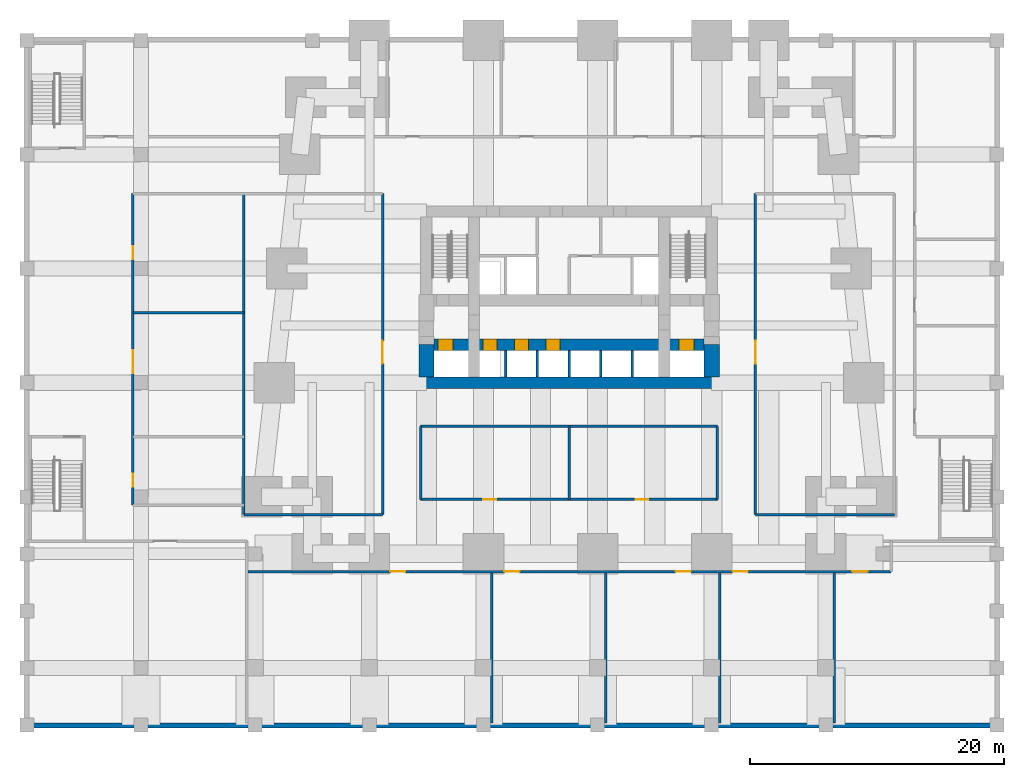
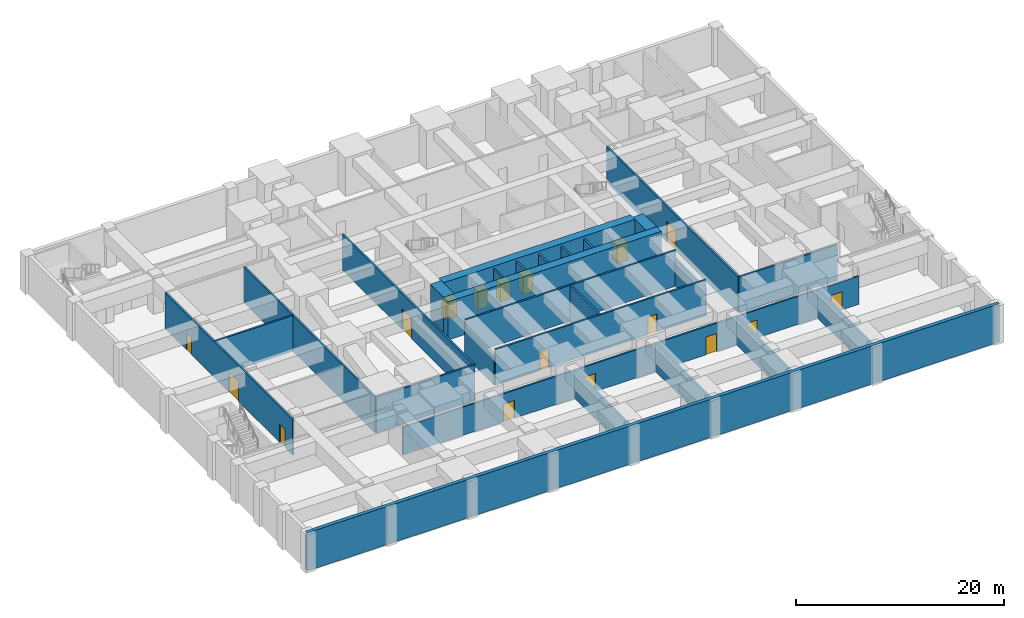
# One storey, part 3 of 8: 27 walls, 17 doors, 17 openings.
"""IFC4 building model written with IfcOpenShell, lengths in metres."""

from ifc_helpers import new_model, si_unit, direction, frame, frame_2d, origin, place, context, subcontext, project, spatial, rectangle, extrude, material, layer, layer_set, type_object, element, fill, save


model = new_model("IFC4")

# Units and contexts
model_context = context("Model", 3, precision=1e-05, world=origin(), true_north=direction((0.0, 1.0)))
body_context = subcontext(model_context, "Body", "Model", "MODEL_VIEW")
ifc_project = project(units=[si_unit("LENGTHUNIT", "METRE"), si_unit("AREAUNIT", "SQUARE_METRE"), si_unit("VOLUMEUNIT", "CUBIC_METRE"), si_unit("PLANEANGLEUNIT", "RADIAN"), si_unit("MASSUNIT", "GRAM", prefix="KILO")], contexts=[model_context])

# Site, building, storey
site_placement = place(None, origin())
site = spatial("IfcSite", under=ifc_project, at=site_placement, CompositionType="ELEMENT")
building_placement = place(site_placement, origin())
building = spatial("IfcBuilding", under=site, at=building_placement, Name="Kilele Tower Hotel", CompositionType="ELEMENT")
storey_placement = place(building_placement, frame((0.0, 0.0, -4.5)))
storey = spatial("IfcBuildingStorey", under=building, at=storey_placement, Name="B1", CompositionType="ELEMENT", Elevation=-4.5)

# Walls
ifc_material_1 = material(Name="Concrete C70/85", Category="concrete")
ifc_layer_1 = layer(ifc_material_1, 0.39990234375)
ifc_layer_set_1 = layer_set([ifc_layer_1], Name="Concrete C70/85")
wall_type_1 = type_object("IfcWallType", Name="Basement retaining wall 400", PredefinedType="SOLIDWALL", material=ifc_layer_set_1)
wall_1_placement = place(storey_placement, frame((-18.25, -13.550048828125, 0.0), z_axis=(0.0, 0.0, 1.0), x_axis=(1.0, 0.0, 0.0)))
element("IfcWall", 1, at=wall_1_placement, inside=storey, type_object=wall_type_1, Name="Retaining wall B1 S", PredefinedType="SOLIDWALL", context=body_context, shape_type="SweptSolid", body=[
    extrude(rectangle(XDim=77.0, YDim=0.39990234375, at=frame_2d((38.5, 0.0))), origin(), (0.0, 0.0, 1.0), 4.5),
])
ifc_material_2 = material(Name="Concrete C60/75", Category="concrete")
ifc_layer_2 = layer(ifc_material_2, 1.199951171875)
ifc_layer_set_2 = layer_set([ifc_layer_2], Name="Concrete C60/75")
wall_type_2 = type_object("IfcWallType", Name="Core wall 1200 C60/75", PredefinedType="SHEAR", material=ifc_layer_set_2)
for number, where, z_axis, x_axis, name in (
    (2, (13.5, 16.5, 0.0), (0.0, 0.0, 1.0), (0.0, -1.0, 0.0), "Core wall W3 B1"),
    (3, (36.0, 13.949951171875, 0.0), (0.0, 0.0, 1.0), (0.0, 1.0, 0.0), "Core wall E1 B1"),
):
    element("IfcWall", number, at=place(storey_placement, frame(where, z_axis=z_axis, x_axis=x_axis)), inside=storey, type_object=wall_type_2, Name=name, PredefinedType="SHEAR", context=body_context, shape_type="SweptSolid", body=[
        extrude(rectangle(XDim=2.550048828125, YDim=1.199951171875, at=frame_2d((1.27490234375, 0.0))), origin(), (0.0, 0.0, 1.0), 4.5),
    ])
ifc_material_3 = material(Name="Concrete C60/75", Category="concrete")
ifc_layer_3 = layer(ifc_material_3, 0.89990234375)
ifc_layer_set_3 = layer_set([ifc_layer_3], Name="Concrete C60/75")
wall_type_3 = type_object("IfcWallType", Name="Core wall 900 C60/75", PredefinedType="SHEAR", material=ifc_layer_set_3)
wall_2_placement = place(storey_placement, frame((12.89990234375, 13.5, 0.0), z_axis=(0.0, 0.0, 1.0), x_axis=(1.0, 0.0, 0.0)))
element("IfcWall", 4, at=wall_2_placement, inside=storey, type_object=wall_type_3, Name="Core wall S B1", PredefinedType="SHEAR", context=body_context, shape_type="SweptSolid", body=[
    extrude(rectangle(XDim=23.7001953125, YDim=0.89990234375, at=frame_2d((11.85009765625, 0.0))), origin(), (0.0, 0.0, 1.0), 4.5),
])

# Wall, openings, doors
wall_3_placement = place(storey_placement, frame((14.10009765625, 16.5, 0.0), z_axis=(0.0, 0.0, 1.0), x_axis=(1.0, 0.0, 0.0)))
wall_3 = element("IfcWall", 5, at=wall_3_placement, inside=storey, type_object=wall_type_3, Name="Core wall LS B1", PredefinedType="SHEAR", context=body_context, shape_type="SweptSolid", body=[
    extrude(rectangle(XDim=21.2998046875, YDim=0.89990234375, at=frame_2d((10.64990234375, 0.0))), origin(), (0.0, 0.0, 1.0), 4.5),
])
opening_1_placement = place(wall_3_placement, frame((3.85009765625, 0.0, 0.0)))
opening_1 = element("IfcOpeningElement", 6, at=opening_1_placement, cuts=wall_3, Name="Opening LD1", PredefinedType="OPENING", context=body_context, shape_type="SweptSolid", body=[
    extrude(rectangle(XDim=1.10009765625, YDim=2.10009765625, at=frame_2d((0.550048828125, 1.050048828125))), frame((0.0, 0.4599609375, 0.0), z_axis=(0.0, -1.0, 0.0), x_axis=(1.0, 0.0, 0.0)), (0.0, 0.0, 1.0), 0.919921875),
])
opening_2_placement = place(wall_3_placement, frame((6.35009765625, 0.0, 0.0)))
opening_2 = element("IfcOpeningElement", 7, at=opening_2_placement, cuts=wall_3, Name="Opening LD1", PredefinedType="OPENING", context=body_context, shape_type="SweptSolid", body=[
    extrude(rectangle(XDim=1.10009765625, YDim=2.10009765625, at=frame_2d((0.550048828125, 1.050048828125))), frame((0.0, 0.4599609375, 0.0), z_axis=(0.0, -1.0, 0.0), x_axis=(1.0, 0.0, 0.0)), (0.0, 0.0, 1.0), 0.919921875),
])
opening_3_placement = place(wall_3_placement, frame((8.85009765625, 0.0, 0.0)))
opening_3 = element("IfcOpeningElement", 8, at=opening_3_placement, cuts=wall_3, Name="Opening LD1", PredefinedType="OPENING", context=body_context, shape_type="SweptSolid", body=[
    extrude(rectangle(XDim=1.10009765625, YDim=2.10009765625, at=frame_2d((0.550048828125, 1.050048828125))), frame((0.0, 0.4599609375, 0.0), z_axis=(0.0, -1.0, 0.0), x_axis=(1.0, 0.0, 0.0)), (0.0, 0.0, 1.0), 0.919921875),
])
opening_4_placement = place(wall_3_placement, frame((0.300048828125, 0.0, 0.0)))
opening_4 = element("IfcOpeningElement", 9, at=opening_4_placement, cuts=wall_3, Name="Opening LD2", PredefinedType="OPENING", context=body_context, shape_type="SweptSolid", body=[
    extrude(rectangle(XDim=1.199951171875, YDim=2.10009765625, at=frame_2d((0.60009765625, 1.050048828125))), frame((0.0, 0.4599609375, 0.0), z_axis=(0.0, -1.0, 0.0), x_axis=(1.0, 0.0, 0.0)), (0.0, 0.0, 1.0), 0.919921875),
])
opening_5_placement = place(wall_3_placement, frame((19.300048828125, 0.0, 0.0)))
opening_5 = element("IfcOpeningElement", 10, at=opening_5_placement, cuts=wall_3, Name="Opening LD2", PredefinedType="OPENING", context=body_context, shape_type="SweptSolid", body=[
    extrude(rectangle(XDim=1.199951171875, YDim=2.10009765625, at=frame_2d((0.60009765625, 1.050048828125))), frame((0.0, 0.4599609375, 0.0), z_axis=(0.0, -1.0, 0.0), x_axis=(1.0, 0.0, 0.0)), (0.0, 0.0, 1.0), 0.919921875),
])
ifc_material_4 = material(Name="Steel lift landing door", Category="steel")
door_type_1 = type_object("IfcDoorType", Name="Firefighting lift landing door 1200", OperationType="SLIDING_TO_LEFT", PredefinedType="DOOR", material=ifc_material_4)
door_1_placement = place(opening_4_placement, origin())
door_1 = element("IfcDoor", 11, at=door_1_placement, inside=storey, type_object=door_type_1, Name="Landing door FFW B1", OperationType="SLIDING_TO_LEFT", OverallHeight=2.10009765625, OverallWidth=1.199951171875, PredefinedType="DOOR", context=body_context, shape_type="SweptSolid", body=[
    extrude(rectangle(XDim=1.199951171875, YDim=2.10009765625, at=frame_2d((0.60009765625, 1.050048828125))), frame((0.0, 0.44970703125, 0.0), z_axis=(0.0, -1.0, 0.0), x_axis=(1.0, 0.0, 0.0)), (0.0, 0.0, 1.0), 0.8994140625),
])
fill(opening_4, door_1)
door_2_placement = place(opening_5_placement, origin())
door_2 = element("IfcDoor", 12, at=door_2_placement, inside=storey, type_object=door_type_1, Name="Landing door FFE B1", OperationType="SLIDING_TO_LEFT", OverallHeight=2.10009765625, OverallWidth=1.199951171875, PredefinedType="DOOR", context=body_context, shape_type="SweptSolid", body=[
    extrude(rectangle(XDim=1.199951171875, YDim=2.10009765625, at=frame_2d((0.60009765625, 1.050048828125))), frame((0.0, 0.44970703125, 0.0), z_axis=(0.0, -1.0, 0.0), x_axis=(1.0, 0.0, 0.0)), (0.0, 0.0, 1.0), 0.8994140625),
])
fill(opening_5, door_2)
ifc_material_5 = material(Name="Steel lift landing door", Category="steel")
door_type_2 = type_object("IfcDoorType", Name="Lift landing door 1100", OperationType="SLIDING_TO_LEFT", PredefinedType="DOOR", material=ifc_material_5)
door_3_placement = place(opening_1_placement, origin())
door_3 = element("IfcDoor", 13, at=door_3_placement, inside=storey, type_object=door_type_2, Name="Landing door L1 B1", OperationType="SLIDING_TO_LEFT", OverallHeight=2.10009765625, OverallWidth=1.10009765625, PredefinedType="DOOR", context=body_context, shape_type="SweptSolid", body=[
    extrude(rectangle(XDim=1.10009765625, YDim=2.10009765625, at=frame_2d((0.550048828125, 1.050048828125))), frame((0.0, 0.44970703125, 0.0), z_axis=(0.0, -1.0, 0.0), x_axis=(1.0, 0.0, 0.0)), (0.0, 0.0, 1.0), 0.8994140625),
])
fill(opening_1, door_3)
door_4_placement = place(opening_2_placement, origin())
door_4 = element("IfcDoor", 14, at=door_4_placement, inside=storey, type_object=door_type_2, Name="Landing door L2 B1", OperationType="SLIDING_TO_LEFT", OverallHeight=2.10009765625, OverallWidth=1.10009765625, PredefinedType="DOOR", context=body_context, shape_type="SweptSolid", body=[
    extrude(rectangle(XDim=1.10009765625, YDim=2.10009765625, at=frame_2d((0.550048828125, 1.050048828125))), frame((0.0, 0.44970703125, 0.0), z_axis=(0.0, -1.0, 0.0), x_axis=(1.0, 0.0, 0.0)), (0.0, 0.0, 1.0), 0.8994140625),
])
fill(opening_2, door_4)
door_5_placement = place(opening_3_placement, origin())
door_5 = element("IfcDoor", 15, at=door_5_placement, inside=storey, type_object=door_type_2, Name="Landing door L3 B1", OperationType="SLIDING_TO_LEFT", OverallHeight=2.10009765625, OverallWidth=1.10009765625, PredefinedType="DOOR", context=body_context, shape_type="SweptSolid", body=[
    extrude(rectangle(XDim=1.10009765625, YDim=2.10009765625, at=frame_2d((0.550048828125, 1.050048828125))), frame((0.0, 0.44970703125, 0.0), z_axis=(0.0, -1.0, 0.0), x_axis=(1.0, 0.0, 0.0)), (0.0, 0.0, 1.0), 0.8994140625),
])
fill(opening_3, door_5)

ifc_material_6 = material(Name="Blockwork, plastered both sides", Category="masonry")
ifc_layer_4 = layer(ifc_material_6, 0.199951171875)
ifc_layer_set_4 = layer_set([ifc_layer_4], Name="Blockwork, plastered both sides")
wall_type_4 = type_object("IfcWallType", Name="Partition wall 200", PredefinedType="PARTITIONING", material=ifc_layer_set_4)
wall_4_placement = place(storey_placement, frame((-9.64990234375, 3.85009765625, 0.0), z_axis=(0.0, 0.0, 1.0), x_axis=(0.0, 1.0, 0.0)))
wall_4 = element("IfcWall", 16, at=wall_4_placement, inside=storey, type_object=wall_type_4, Name="Partition wall 200 B1", PredefinedType="PARTITIONING", context=body_context, shape_type="SweptSolid", body=[
    extrude(rectangle(XDim=24.5498046875, YDim=0.199951171875, at=frame_2d((12.27490234375, 0.0))), origin(), (0.0, 0.0, 1.0), 4.199951171875),
])
opening_6_placement = place(wall_4_placement, frame((2.449951171875, 0.0, 0.0), z_axis=(0.0, 0.0, 1.0), x_axis=(-1.0, 0.0, 0.0)))
opening_6 = element("IfcOpeningElement", 17, at=opening_6_placement, cuts=wall_4, Name="Opening D8", PredefinedType="OPENING", context=body_context, shape_type="SweptSolid", body=[
    extrude(rectangle(XDim=1.0, YDim=2.10009765625, at=frame_2d((0.5, 1.050048828125))), frame((0.0, 0.10986328125, 0.0), z_axis=(0.0, -1.0, 0.0), x_axis=(1.0, 0.0, 0.0)), (0.0, 0.0, 1.0), 0.219970703125),
])
opening_7_placement = place(wall_4_placement, frame((10.39990234375, 0.0, 0.0)))
opening_7 = element("IfcOpeningElement", 18, at=opening_7_placement, cuts=wall_4, Name="Opening D9", PredefinedType="OPENING", context=body_context, shape_type="SweptSolid", body=[
    extrude(rectangle(XDim=1.800048828125, YDim=2.39990234375, at=frame_2d((0.89990234375, 1.199951171875))), frame((0.0, 0.10986328125, 0.0), z_axis=(0.0, -1.0, 0.0), x_axis=(1.0, 0.0, 0.0)), (0.0, 0.0, 1.0), 0.219970703125),
])
opening_8_placement = place(wall_4_placement, frame((20.39990234375, 0.0, 0.0), z_axis=(0.0, 0.0, 1.0), x_axis=(-1.0, 0.0, 0.0)))
opening_8 = element("IfcOpeningElement", 19, at=opening_8_placement, cuts=wall_4, Name="Opening D8", PredefinedType="OPENING", context=body_context, shape_type="SweptSolid", body=[
    extrude(rectangle(XDim=1.0, YDim=2.10009765625, at=frame_2d((0.5, 1.050048828125))), frame((0.0, 0.10986328125, 0.0), z_axis=(0.0, -1.0, 0.0), x_axis=(1.0, 0.0, 0.0)), (0.0, 0.0, 1.0), 0.219970703125),
])
ifc_material_7 = material(Name="Timber door leaf in hardwood frame", Category="wood")
door_type_3 = type_object("IfcDoorType", Name="Door 1000", OperationType="SINGLE_SWING_LEFT", PredefinedType="DOOR", material=ifc_material_7)
door_6_placement = place(opening_6_placement, origin())
door_6 = element("IfcDoor", 20, at=door_6_placement, inside=storey, type_object=door_type_3, Name="Door uniform room", OperationType="SINGLE_SWING_RIGHT", OverallHeight=2.10009765625, OverallWidth=1.0, PredefinedType="DOOR", context=body_context, shape_type="SweptSolid", body=[
    extrude(rectangle(XDim=1.0, YDim=2.10009765625, at=frame_2d((0.5, 1.050048828125))), frame((0.0, 0.02490234375, 0.0), z_axis=(0.0, -1.0, 0.0), x_axis=(1.0, 0.0, 0.0)), (0.0, 0.0, 1.0), 0.050048828125),
])
fill(opening_6, door_6)
door_7_placement = place(opening_8_placement, origin())
door_7 = element("IfcDoor", 21, at=door_7_placement, inside=storey, type_object=door_type_3, Name="Door human resources office", OperationType="SINGLE_SWING_LEFT", OverallHeight=2.10009765625, OverallWidth=1.0, PredefinedType="DOOR", context=body_context, shape_type="SweptSolid", body=[
    extrude(rectangle(XDim=1.0, YDim=2.10009765625, at=frame_2d((0.5, 1.050048828125))), frame((0.0, 0.02490234375, 0.0), z_axis=(0.0, -1.0, 0.0), x_axis=(1.0, 0.0, 0.0)), (0.0, 0.0, 1.0), 0.050048828125),
])
fill(opening_8, door_7)
ifc_material_8 = material(Name="Timber door leaf in hardwood frame", Category="wood")
door_type_4 = type_object("IfcDoorType", Name="Double door 1800", OperationType="DOUBLE_DOOR_SINGLE_SWING", PredefinedType="DOOR", material=ifc_material_8)
door_8_placement = place(opening_7_placement, origin())
door_8 = element("IfcDoor", 22, at=door_8_placement, inside=storey, type_object=door_type_4, Name="Door staff training room", OperationType="DOUBLE_DOOR_SINGLE_SWING", OverallHeight=2.39990234375, OverallWidth=1.800048828125, PredefinedType="DOOR", context=body_context, shape_type="SweptSolid", body=[
    extrude(rectangle(XDim=1.800048828125, YDim=2.39990234375, at=frame_2d((0.89990234375, 1.199951171875))), frame((0.0, 0.02490234375, 0.0), z_axis=(0.0, -1.0, 0.0), x_axis=(1.0, 0.0, 0.0)), (0.0, 0.0, 1.0), 0.050048828125),
])
fill(opening_7, door_8)

# Walls
wall_5_placement = place(storey_placement, frame((-9.64990234375, 19.0, 0.0), z_axis=(0.0, 0.0, 1.0), x_axis=(1.0, 0.0, 0.0)))
element("IfcWall", 23, at=wall_5_placement, inside=storey, type_object=wall_type_4, Name="Partition wall 200 B1", PredefinedType="PARTITIONING", context=body_context, shape_type="SweptSolid", body=[
    extrude(rectangle(XDim=8.75, YDim=0.199951171875, at=frame_2d((4.375, 0.0))), origin(), (0.0, 0.0, 1.0), 4.199951171875),
])
wall_6_placement = place(storey_placement, frame((-0.89990234375, 3.10009765625, 0.0), z_axis=(0.0, 0.0, 1.0), x_axis=(0.0, 1.0, 0.0)))
element("IfcWall", 24, at=wall_6_placement, inside=storey, type_object=wall_type_4, Name="Partition wall 200 B1", PredefinedType="PARTITIONING", context=body_context, shape_type="SweptSolid", body=[
    extrude(rectangle(XDim=25.2998046875, YDim=0.199951171875, at=frame_2d((12.64990234375, 0.0))), origin(), (0.0, 0.0, 1.0), 4.199951171875),
])
wall_7_placement = place(storey_placement, frame((-0.89990234375, 3.10009765625, 0.0), z_axis=(0.0, 0.0, 1.0), x_axis=(1.0, 0.0, 0.0)))
element("IfcWall", 25, at=wall_7_placement, inside=storey, type_object=wall_type_4, Name="Partition wall 200 B1", PredefinedType="PARTITIONING", context=body_context, shape_type="SweptSolid", body=[
    extrude(rectangle(XDim=10.949951171875, YDim=0.199951171875, at=frame_2d((5.47509765625, 0.0))), origin(), (0.0, 0.0, 1.0), 4.199951171875),
])

# Wall, opening, door
wall_8_placement = place(storey_placement, frame((10.050048828125, 3.10009765625, 0.0), z_axis=(0.0, 0.0, 1.0), x_axis=(0.0, 1.0, 0.0)))
wall_8 = element("IfcWall", 26, at=wall_8_placement, inside=storey, type_object=wall_type_4, Name="Partition wall 200 B1", PredefinedType="PARTITIONING", context=body_context, shape_type="SweptSolid", body=[
    extrude(rectangle(XDim=25.2998046875, YDim=0.199951171875, at=frame_2d((12.64990234375, 0.0))), origin(), (0.0, 0.0, 1.0), 4.199951171875),
])
opening_9_placement = place(wall_8_placement, frame((13.699951171875, 0.0, 0.0), z_axis=(0.0, 0.0, 1.0), x_axis=(-1.0, 0.0, 0.0)))
opening_9 = element("IfcOpeningElement", 27, at=opening_9_placement, cuts=wall_8, Name="Opening D9", PredefinedType="OPENING", context=body_context, shape_type="SweptSolid", body=[
    extrude(rectangle(XDim=1.800048828125, YDim=2.39990234375, at=frame_2d((0.89990234375, 1.199951171875))), frame((0.0, 0.10986328125, 0.0), z_axis=(0.0, -1.0, 0.0), x_axis=(1.0, 0.0, 0.0)), (0.0, 0.0, 1.0), 0.219970703125),
])
door_9_placement = place(opening_9_placement, origin())
door_9 = element("IfcDoor", 28, at=door_9_placement, inside=storey, type_object=door_type_4, Name="Door staff lounge", OperationType="DOUBLE_DOOR_SINGLE_SWING", OverallHeight=2.39990234375, OverallWidth=1.800048828125, PredefinedType="DOOR", context=body_context, shape_type="SweptSolid", body=[
    extrude(rectangle(XDim=1.800048828125, YDim=2.39990234375, at=frame_2d((0.89990234375, 1.199951171875))), frame((0.0, 0.02490234375, 0.0), z_axis=(0.0, -1.0, 0.0), x_axis=(1.0, 0.0, 0.0)), (0.0, 0.0, 1.0), 0.050048828125),
])
fill(opening_9, door_9)

wall_9_placement = place(storey_placement, frame((39.449951171875, 3.10009765625, 0.0), z_axis=(0.0, 0.0, 1.0), x_axis=(0.0, 1.0, 0.0)))
wall_9 = element("IfcWall", 29, at=wall_9_placement, inside=storey, type_object=wall_type_4, Name="Partition wall 200 B1", PredefinedType="PARTITIONING", context=body_context, shape_type="SweptSolid", body=[
    extrude(rectangle(XDim=25.2998046875, YDim=0.199951171875, at=frame_2d((12.64990234375, 0.0))), origin(), (0.0, 0.0, 1.0), 4.199951171875),
])
opening_10_placement = place(wall_9_placement, frame((13.699951171875, 0.0, 0.0), z_axis=(0.0, 0.0, 1.0), x_axis=(-1.0, 0.0, 0.0)))
opening_10 = element("IfcOpeningElement", 30, at=opening_10_placement, cuts=wall_9, Name="Opening D9", PredefinedType="OPENING", context=body_context, shape_type="SweptSolid", body=[
    extrude(rectangle(XDim=1.800048828125, YDim=2.39990234375, at=frame_2d((0.89990234375, 1.199951171875))), frame((0.0, 0.10986328125, 0.0), z_axis=(0.0, -1.0, 0.0), x_axis=(1.0, 0.0, 0.0)), (0.0, 0.0, 1.0), 0.219970703125),
])
door_10_placement = place(opening_10_placement, origin())
door_10 = element("IfcDoor", 31, at=door_10_placement, inside=storey, type_object=door_type_4, Name="Door kitchen preparation", OperationType="DOUBLE_DOOR_SINGLE_SWING", OverallHeight=2.39990234375, OverallWidth=1.800048828125, PredefinedType="DOOR", context=body_context, shape_type="SweptSolid", body=[
    extrude(rectangle(XDim=1.800048828125, YDim=2.39990234375, at=frame_2d((0.89990234375, 1.199951171875))), frame((0.0, 0.02490234375, 0.0), z_axis=(0.0, -1.0, 0.0), x_axis=(1.0, 0.0, 0.0)), (0.0, 0.0, 1.0), 0.050048828125),
])
fill(opening_10, door_10)

# Wall
wall_10_placement = place(storey_placement, frame((39.449951171875, 3.10009765625, 0.0), z_axis=(0.0, 0.0, 1.0), x_axis=(1.0, 0.0, 0.0)))
element("IfcWall", 32, at=wall_10_placement, inside=storey, type_object=wall_type_4, Name="Partition wall 200 B1", PredefinedType="PARTITIONING", context=body_context, shape_type="SweptSolid", body=[
    extrude(rectangle(XDim=10.949951171875, YDim=0.199951171875, at=frame_2d((5.47509765625, 0.0))), origin(), (0.0, 0.0, 1.0), 4.199951171875),
])

# Wall, openings, doors
wall_11_placement = place(storey_placement, frame((13.050048828125, 4.300048828125, 0.0), z_axis=(0.0, 0.0, 1.0), x_axis=(1.0, 0.0, 0.0)))
wall_11 = element("IfcWall", 33, at=wall_11_placement, inside=storey, type_object=wall_type_4, Name="Partition wall 200 B1", PredefinedType="PARTITIONING", context=body_context, shape_type="SweptSolid", body=[
    extrude(rectangle(XDim=23.39990234375, YDim=0.199951171875, at=frame_2d((11.699951171875, 0.0))), origin(), (0.0, 0.0, 1.0), 4.199951171875),
])
opening_11_placement = place(wall_11_placement, frame((4.949951171875, 0.0, 0.0)))
opening_11 = element("IfcOpeningElement", 34, at=opening_11_placement, cuts=wall_11, Name="Opening D8", PredefinedType="OPENING", context=body_context, shape_type="SweptSolid", body=[
    extrude(rectangle(XDim=1.0, YDim=2.10009765625, at=frame_2d((0.5, 1.050048828125))), frame((0.0, 0.10986328125, 0.0), z_axis=(0.0, -1.0, 0.0), x_axis=(1.0, 0.0, 0.0)), (0.0, 0.0, 1.0), 0.219970703125),
])
opening_12_placement = place(wall_11_placement, frame((16.949951171875, 0.0, 0.0)))
opening_12 = element("IfcOpeningElement", 35, at=opening_12_placement, cuts=wall_11, Name="Opening D8", PredefinedType="OPENING", context=body_context, shape_type="SweptSolid", body=[
    extrude(rectangle(XDim=1.0, YDim=2.10009765625, at=frame_2d((0.5, 1.050048828125))), frame((0.0, 0.10986328125, 0.0), z_axis=(0.0, -1.0, 0.0), x_axis=(1.0, 0.0, 0.0)), (0.0, 0.0, 1.0), 0.219970703125),
])
door_11_placement = place(opening_11_placement, origin())
door_11 = element("IfcDoor", 36, at=door_11_placement, inside=storey, type_object=door_type_3, Name="Door engineering office", OperationType="SINGLE_SWING_LEFT", OverallHeight=2.10009765625, OverallWidth=1.0, PredefinedType="DOOR", context=body_context, shape_type="SweptSolid", body=[
    extrude(rectangle(XDim=1.0, YDim=2.10009765625, at=frame_2d((0.5, 1.050048828125))), frame((0.0, 0.02490234375, 0.0), z_axis=(0.0, -1.0, 0.0), x_axis=(1.0, 0.0, 0.0)), (0.0, 0.0, 1.0), 0.050048828125),
])
fill(opening_11, door_11)
door_12_placement = place(opening_12_placement, origin())
door_12 = element("IfcDoor", 37, at=door_12_placement, inside=storey, type_object=door_type_3, Name="Door security control room", OperationType="SINGLE_SWING_RIGHT", OverallHeight=2.10009765625, OverallWidth=1.0, PredefinedType="DOOR", context=body_context, shape_type="SweptSolid", body=[
    extrude(rectangle(XDim=1.0, YDim=2.10009765625, at=frame_2d((0.5, 1.050048828125))), frame((0.0, 0.02490234375, 0.0), z_axis=(0.0, -1.0, 0.0), x_axis=(1.0, 0.0, 0.0)), (0.0, 0.0, 1.0), 0.050048828125),
])
fill(opening_12, door_12)

# Walls
for number, where, z_axis, x_axis, name in (
    (38, (13.050048828125, 4.300048828125, 0.0), (0.0, 0.0, 1.0), (0.0, 1.0, 0.0), "Partition wall 200 B1"),
    (39, (36.449951171875, 4.300048828125, 0.0), (0.0, 0.0, 1.0), (0.0, 1.0, 0.0), "Partition wall 200 B1"),
):
    element("IfcWall", number, at=place(storey_placement, frame(where, z_axis=z_axis, x_axis=x_axis)), inside=storey, type_object=wall_type_4, Name=name, PredefinedType="PARTITIONING", context=body_context, shape_type="SweptSolid", body=[
        extrude(rectangle(XDim=5.75, YDim=0.199951171875, at=frame_2d((2.875, 0.0))), origin(), (0.0, 0.0, 1.0), 3.199951171875),
    ])
wall_12_placement = place(storey_placement, frame((13.050048828125, 10.050048828125, 0.0), z_axis=(0.0, 0.0, 1.0), x_axis=(1.0, 0.0, 0.0)))
element("IfcWall", 40, at=wall_12_placement, inside=storey, type_object=wall_type_4, Name="Partition wall 200 B1", PredefinedType="PARTITIONING", context=body_context, shape_type="SweptSolid", body=[
    extrude(rectangle(XDim=23.39990234375, YDim=0.199951171875, at=frame_2d((11.699951171875, 0.0))), origin(), (0.0, 0.0, 1.0), 4.199951171875),
])
wall_13_placement = place(storey_placement, frame((24.75, 4.300048828125, 0.0), z_axis=(0.0, 0.0, 1.0), x_axis=(0.0, 1.0, 0.0)))
element("IfcWall", 41, at=wall_13_placement, inside=storey, type_object=wall_type_4, Name="Partition wall 200 B1", PredefinedType="PARTITIONING", context=body_context, shape_type="SweptSolid", body=[
    extrude(rectangle(XDim=5.75, YDim=0.199951171875, at=frame_2d((2.875, 0.0))), origin(), (0.0, 0.0, 1.0), 4.199951171875),
])
for number, where, z_axis, x_axis, name in (
    (42, (18.64990234375, -13.35009765625, 0.0), (0.0, 0.0, 1.0), (0.0, 1.0, 0.0), "Partition wall 200 B1"),
    (43, (27.64990234375, -13.35009765625, 0.0), (0.0, 0.0, 1.0), (0.0, 1.0, 0.0), "Partition wall 200 B1"),
    (44, (36.64990234375, -13.35009765625, 0.0), (0.0, 0.0, 1.0), (0.0, 1.0, 0.0), "Partition wall 200 B1"),
    (45, (45.64990234375, -13.35009765625, 0.0), (0.0, 0.0, 1.0), (0.0, 1.0, 0.0), "Partition wall 200 B1"),
):
    element("IfcWall", number, at=place(storey_placement, frame(where, z_axis=z_axis, x_axis=x_axis)), inside=storey, type_object=wall_type_4, Name=name, PredefinedType="PARTITIONING", context=body_context, shape_type="SweptSolid", body=[
        extrude(rectangle(XDim=11.85009765625, YDim=0.199951171875, at=frame_2d((5.925048828125, 0.0))), origin(), (0.0, 0.0, 1.0), 3.300048828125),
    ])

# Wall, openings, doors
wall_14_placement = place(storey_placement, frame((-0.550048828125, -1.39990234375, 0.0), z_axis=(0.0, 0.0, 1.0), x_axis=(1.0, 0.0, 0.0)))
wall_14 = element("IfcWall", 46, at=wall_14_placement, inside=storey, type_object=wall_type_4, Name="Partition wall 200 B1", PredefinedType="PARTITIONING", context=body_context, shape_type="SweptSolid", body=[
    extrude(rectangle(XDim=50.699951171875, YDim=0.199951171875, at=frame_2d((25.35009765625, 0.0))), origin(), (0.0, 0.0, 1.0), 3.300048828125),
])
opening_13_placement = place(wall_14_placement, frame((12.39990234375, 0.0, 0.0), z_axis=(0.0, 0.0, 1.0), x_axis=(-1.0, 0.0, 0.0)))
opening_13 = element("IfcOpeningElement", 47, at=opening_13_placement, cuts=wall_14, Name="Opening D8A", PredefinedType="OPENING", context=body_context, shape_type="SweptSolid", body=[
    extrude(rectangle(XDim=1.199951171875, YDim=2.10009765625, at=frame_2d((0.60009765625, 1.050048828125))), frame((0.0, 0.10986328125, 0.0), z_axis=(0.0, -1.0, 0.0), x_axis=(1.0, 0.0, 0.0)), (0.0, 0.0, 1.0), 0.219970703125),
])
opening_14_placement = place(wall_14_placement, frame((21.39990234375, 0.0, 0.0), z_axis=(0.0, 0.0, 1.0), x_axis=(-1.0, 0.0, 0.0)))
opening_14 = element("IfcOpeningElement", 48, at=opening_14_placement, cuts=wall_14, Name="Opening D8A", PredefinedType="OPENING", context=body_context, shape_type="SweptSolid", body=[
    extrude(rectangle(XDim=1.199951171875, YDim=2.10009765625, at=frame_2d((0.60009765625, 1.050048828125))), frame((0.0, 0.10986328125, 0.0), z_axis=(0.0, -1.0, 0.0), x_axis=(1.0, 0.0, 0.0)), (0.0, 0.0, 1.0), 0.219970703125),
])
opening_15_placement = place(wall_14_placement, frame((34.89990234375, 0.0, 0.0), z_axis=(0.0, 0.0, 1.0), x_axis=(-1.0, 0.0, 0.0)))
opening_15 = element("IfcOpeningElement", 49, at=opening_15_placement, cuts=wall_14, Name="Opening D8A", PredefinedType="OPENING", context=body_context, shape_type="SweptSolid", body=[
    extrude(rectangle(XDim=1.199951171875, YDim=2.10009765625, at=frame_2d((0.60009765625, 1.050048828125))), frame((0.0, 0.10986328125, 0.0), z_axis=(0.0, -1.0, 0.0), x_axis=(1.0, 0.0, 0.0)), (0.0, 0.0, 1.0), 0.219970703125),
])
opening_16_placement = place(wall_14_placement, frame((39.39990234375, 0.0, 0.0), z_axis=(0.0, 0.0, 1.0), x_axis=(-1.0, 0.0, 0.0)))
opening_16 = element("IfcOpeningElement", 50, at=opening_16_placement, cuts=wall_14, Name="Opening D8A", PredefinedType="OPENING", context=body_context, shape_type="SweptSolid", body=[
    extrude(rectangle(XDim=1.199951171875, YDim=2.10009765625, at=frame_2d((0.60009765625, 1.050048828125))), frame((0.0, 0.10986328125, 0.0), z_axis=(0.0, -1.0, 0.0), x_axis=(1.0, 0.0, 0.0)), (0.0, 0.0, 1.0), 0.219970703125),
])
opening_17_placement = place(wall_14_placement, frame((48.849853515625, 0.0, 0.0), z_axis=(0.0, 0.0, 1.0), x_axis=(-1.0, 0.0, 0.0)))
opening_17 = element("IfcOpeningElement", 51, at=opening_17_placement, cuts=wall_14, Name="Opening D8A", PredefinedType="OPENING", context=body_context, shape_type="SweptSolid", body=[
    extrude(rectangle(XDim=1.199951171875, YDim=2.10009765625, at=frame_2d((0.60009765625, 1.050048828125))), frame((0.0, 0.10986328125, 0.0), z_axis=(0.0, -1.0, 0.0), x_axis=(1.0, 0.0, 0.0)), (0.0, 0.0, 1.0), 0.219970703125),
])
ifc_material_9 = material(Name="Timber door leaf in hardwood frame", Category="wood")
door_type_5 = type_object("IfcDoorType", Name="Door 1200", OperationType="SINGLE_SWING_LEFT", PredefinedType="DOOR", material=ifc_material_9)
door_13_placement = place(opening_13_placement, origin())
door_13 = element("IfcDoor", 52, at=door_13_placement, inside=storey, type_object=door_type_5, Name="Door pastry and bakery kitchen", OperationType="SINGLE_SWING_RIGHT", OverallHeight=2.10009765625, OverallWidth=1.199951171875, PredefinedType="DOOR", context=body_context, shape_type="SweptSolid", body=[
    extrude(rectangle(XDim=1.199951171875, YDim=2.10009765625, at=frame_2d((0.60009765625, 1.050048828125))), frame((0.0, 0.02490234375, 0.0), z_axis=(0.0, -1.0, 0.0), x_axis=(1.0, 0.0, 0.0)), (0.0, 0.0, 1.0), 0.050048828125),
])
fill(opening_13, door_13)
door_14_placement = place(opening_14_placement, origin())
door_14 = element("IfcDoor", 53, at=door_14_placement, inside=storey, type_object=door_type_5, Name="Door butchery and cold preparation", OperationType="SINGLE_SWING_RIGHT", OverallHeight=2.10009765625, OverallWidth=1.199951171875, PredefinedType="DOOR", context=body_context, shape_type="SweptSolid", body=[
    extrude(rectangle(XDim=1.199951171875, YDim=2.10009765625, at=frame_2d((0.60009765625, 1.050048828125))), frame((0.0, 0.02490234375, 0.0), z_axis=(0.0, -1.0, 0.0), x_axis=(1.0, 0.0, 0.0)), (0.0, 0.0, 1.0), 0.050048828125),
])
fill(opening_14, door_14)
door_15_placement = place(opening_15_placement, origin())
door_15 = element("IfcDoor", 54, at=door_15_placement, inside=storey, type_object=door_type_5, Name="Door cold rooms", OperationType="SINGLE_SWING_LEFT", OverallHeight=2.10009765625, OverallWidth=1.199951171875, PredefinedType="DOOR", context=body_context, shape_type="SweptSolid", body=[
    extrude(rectangle(XDim=1.199951171875, YDim=2.10009765625, at=frame_2d((0.60009765625, 1.050048828125))), frame((0.0, 0.02490234375, 0.0), z_axis=(0.0, -1.0, 0.0), x_axis=(1.0, 0.0, 0.0)), (0.0, 0.0, 1.0), 0.050048828125),
])
fill(opening_15, door_15)
door_16_placement = place(opening_16_placement, origin())
door_16 = element("IfcDoor", 55, at=door_16_placement, inside=storey, type_object=door_type_5, Name="Door purchasing and receiving office", OperationType="SINGLE_SWING_RIGHT", OverallHeight=2.10009765625, OverallWidth=1.199951171875, PredefinedType="DOOR", context=body_context, shape_type="SweptSolid", body=[
    extrude(rectangle(XDim=1.199951171875, YDim=2.10009765625, at=frame_2d((0.60009765625, 1.050048828125))), frame((0.0, 0.02490234375, 0.0), z_axis=(0.0, -1.0, 0.0), x_axis=(1.0, 0.0, 0.0)), (0.0, 0.0, 1.0), 0.050048828125),
])
fill(opening_16, door_16)
door_17_placement = place(opening_17_placement, origin())
door_17 = element("IfcDoor", 56, at=door_17_placement, inside=storey, type_object=door_type_5, Name="Door engineering workshop", OperationType="SINGLE_SWING_RIGHT", OverallHeight=2.10009765625, OverallWidth=1.199951171875, PredefinedType="DOOR", context=body_context, shape_type="SweptSolid", body=[
    extrude(rectangle(XDim=1.199951171875, YDim=2.10009765625, at=frame_2d((0.60009765625, 1.050048828125))), frame((0.0, 0.02490234375, 0.0), z_axis=(0.0, -1.0, 0.0), x_axis=(1.0, 0.0, 0.0)), (0.0, 0.0, 1.0), 0.050048828125),
])
fill(opening_17, door_17)

# Walls
ifc_material_10 = material(Name="Blockwork, fire-rated", Category="masonry")
ifc_layer_5 = layer(ifc_material_10, 0.199951171875)
ifc_layer_set_5 = layer_set([ifc_layer_5], Name="Blockwork, fire-rated")
wall_type_5 = type_object("IfcWallType", Name="Shaft wall 200", PredefinedType="PARTITIONING", material=ifc_layer_set_5)
for number, where, z_axis, x_axis, name in (
    (57, (19.75, 13.949951171875, 0.0), (0.0, 0.0, 1.0), (0.0, 1.0, 0.0), "Shaft wall 200 B1"),
    (58, (22.25, 13.949951171875, 0.0), (0.0, 0.0, 1.0), (0.0, 1.0, 0.0), "Shaft wall 200 B1"),
    (59, (24.75, 13.949951171875, 0.0), (0.0, 0.0, 1.0), (0.0, 1.0, 0.0), "Shaft wall 200 B1"),
    (60, (27.25, 13.949951171875, 0.0), (0.0, 0.0, 1.0), (0.0, 1.0, 0.0), "Shaft wall 200 B1"),
    (61, (29.75, 13.949951171875, 0.0), (0.0, 0.0, 1.0), (0.0, 1.0, 0.0), "Shaft wall 200 B1"),
):
    element("IfcWall", number, at=place(storey_placement, frame(where, z_axis=z_axis, x_axis=x_axis)), inside=storey, type_object=wall_type_5, Name=name, PredefinedType="PARTITIONING", context=body_context, shape_type="SweptSolid", body=[
        extrude(rectangle(XDim=2.10009765625, YDim=0.199951171875, at=frame_2d((1.050048828125, 0.0))), origin(), (0.0, 0.0, 1.0), 4.199951171875),
    ])

save(model, "model.ifc")
